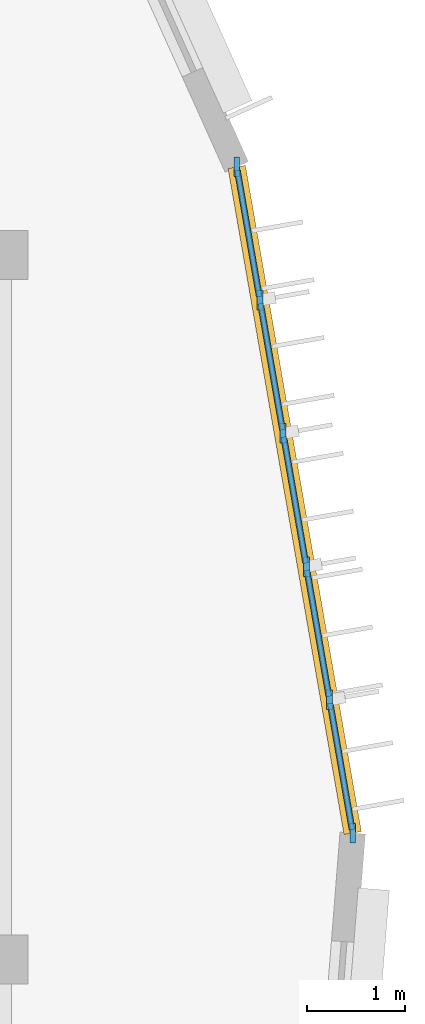
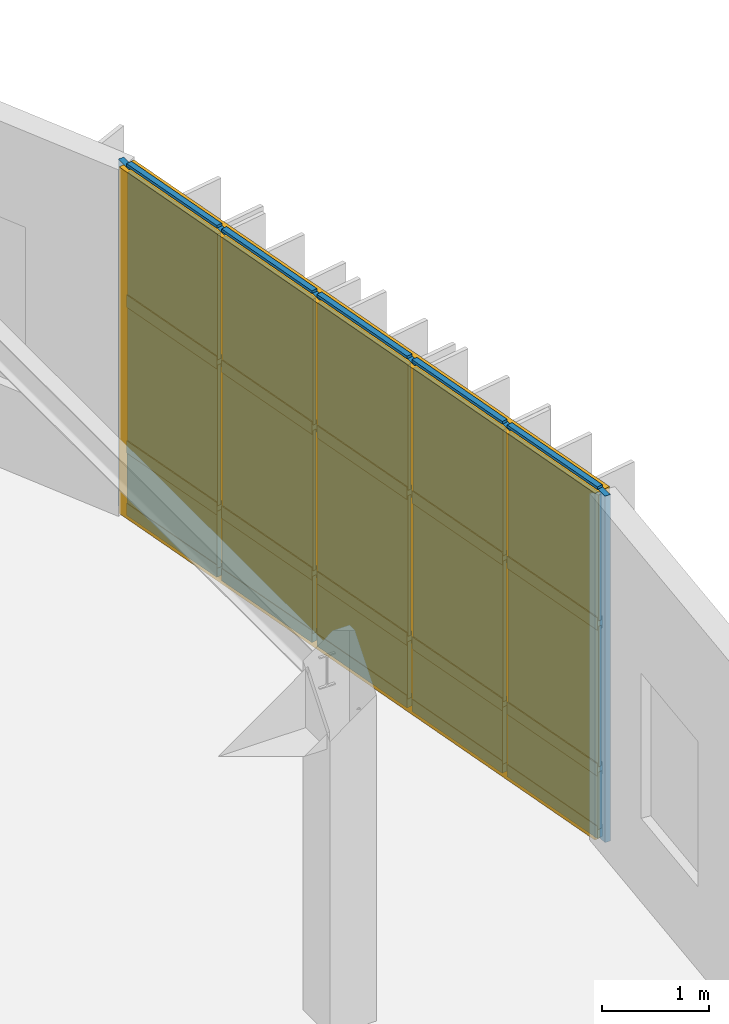
# One storey, part 101 of 122: 26 members, 15 plates, 1 curtain wall.
"""IFC4 building model written with IfcOpenShell, lengths in metres."""

from ifc_helpers import new_model, si_unit, direction, frame, frame_2d, origin, origin_2d, place, context, subcontext, project, spatial, rectangle, extrude, material, layer, layer_set, material_profile, profile_set, type_object, element, aggregate, save


model = new_model("IFC4")

# Units and contexts
model_context = context("Model", 3, precision=1e-05, world=origin(), true_north=direction((0.0, 1.0)))
body_context = subcontext(model_context, "Body", "Model", "MODEL_VIEW")
ifc_project = project(units=[si_unit("LENGTHUNIT", "METRE"), si_unit("AREAUNIT", "SQUARE_METRE"), si_unit("VOLUMEUNIT", "CUBIC_METRE"), si_unit("PLANEANGLEUNIT", "RADIAN"), si_unit("MASSUNIT", "GRAM", prefix="KILO")], contexts=[model_context])

# Member
ifc_material_1 = material(Name="Anodised Bronze Aluminium 6063-T6", Category="aluminium")
ifc_material_profile_1 = material_profile(ifc_material_1, rectangle(XDim=0.06005859375, YDim=0.199951171875, at=origin_2d()), Name="ALU MULLION 60x200")
ifc_profile_set_1 = profile_set([ifc_material_profile_1], Name="Anodised Bronze Aluminium 6063-T6")
member_type_1 = type_object("IfcMemberType", Name="Curtain-Wall Standard Mullion 60x200", PredefinedType="MULLION", material=ifc_profile_set_1)
site_placement = place(None, origin())
building_placement = place(site_placement, origin())
storey_placement = place(building_placement, frame((0.0, 0.0, 4.800048828125)))
member_1_placement = place(storey_placement, frame((162.56982421875, 45.8916015625, 0.0), z_axis=(0.0, 0.0, 1.0), x_axis=(1.0, 0.0, 0.0)))
member_1 = element("IfcMember", 1, at=member_1_placement, type_object=member_type_1, Name="Mullion CWM-03 CW-V4-DRUM-L01-S09-M01", PredefinedType="MULLION", context=body_context, shape_type="SweptSolid", body=[
    extrude(rectangle(XDim=0.06005859375, YDim=0.199951171875, at=origin_2d()), origin(), (0.0, 0.0, 1.0), 3.93994140625),
])

member_2_placement = place(storey_placement, frame((162.332763671875, 47.25341796875, 0.0), z_axis=(0.0, 0.0, 1.0), x_axis=(1.0, 0.0, 0.0)))
member_2 = element("IfcMember", 2, at=member_2_placement, type_object=member_type_1, Name="Mullion CWM-03 CW-V4-DRUM-L01-S09-M02", PredefinedType="MULLION", context=body_context, shape_type="SweptSolid", body=[
    extrude(rectangle(XDim=0.06005859375, YDim=0.199951171875, at=origin_2d()), origin(), (0.0, 0.0, 1.0), 3.93994140625),
])

member_3_placement = place(storey_placement, frame((162.095703125, 48.614990234375, 0.0), z_axis=(0.0, 0.0, 1.0), x_axis=(1.0, 0.0, 0.0)))
member_3 = element("IfcMember", 3, at=member_3_placement, type_object=member_type_1, Name="Mullion CWM-03 CW-V4-DRUM-L01-S09-M03", PredefinedType="MULLION", context=body_context, shape_type="SweptSolid", body=[
    extrude(rectangle(XDim=0.06005859375, YDim=0.199951171875, at=origin_2d()), origin(), (0.0, 0.0, 1.0), 3.93994140625),
])

member_4_placement = place(storey_placement, frame((161.858642578125, 49.9765625, 0.0), z_axis=(0.0, 0.0, 1.0), x_axis=(1.0, 0.0, 0.0)))
member_4 = element("IfcMember", 4, at=member_4_placement, type_object=member_type_1, Name="Mullion CWM-03 CW-V4-DRUM-L01-S09-M04", PredefinedType="MULLION", context=body_context, shape_type="SweptSolid", body=[
    extrude(rectangle(XDim=0.06005859375, YDim=0.199951171875, at=origin_2d()), origin(), (0.0, 0.0, 1.0), 3.93994140625),
])

member_5_placement = place(storey_placement, frame((161.62158203125, 51.338134765625, 0.0), z_axis=(0.0, 0.0, 1.0), x_axis=(1.0, 0.0, 0.0)))
member_5 = element("IfcMember", 5, at=member_5_placement, type_object=member_type_1, Name="Mullion CWM-03 CW-V4-DRUM-L01-S09-M05", PredefinedType="MULLION", context=body_context, shape_type="SweptSolid", body=[
    extrude(rectangle(XDim=0.06005859375, YDim=0.199951171875, at=origin_2d()), origin(), (0.0, 0.0, 1.0), 3.93994140625),
])

member_6_placement = place(storey_placement, frame((161.384765625, 52.69970703125, 0.0), z_axis=(0.0, 0.0, 1.0), x_axis=(1.0, 0.0, 0.0)))
member_6 = element("IfcMember", 6, at=member_6_placement, type_object=member_type_1, Name="Mullion CWM-03 CW-V4-DRUM-L01-S09-M06", PredefinedType="MULLION", context=body_context, shape_type="SweptSolid", body=[
    extrude(rectangle(XDim=0.06005859375, YDim=0.199951171875, at=origin_2d()), origin(), (0.0, 0.0, 1.0), 3.93994140625),
])

ifc_material_profile_2 = material_profile(ifc_material_1, rectangle(XDim=0.06005859375, YDim=0.139892578125, at=origin_2d()), Name="ALU TRANSOM 60x140")
ifc_profile_set_2 = profile_set([ifc_material_profile_2], Name="Anodised Bronze Aluminium 6063-T6")
member_type_2 = type_object("IfcMemberType", Name="Curtain-Wall Transom 60x140", PredefinedType="USERDEFINED", material=ifc_profile_set_2)
member_7_placement = place(storey_placement, frame((162.563720703125, 45.92626953125, 0.0400390625), z_axis=(-0.171396150189, 0.985202192294, 0.0), x_axis=(-0.985202192294, -0.171396150189, 0.0)))
member_7 = element("IfcMember", 7, at=member_7_placement, type_object=member_type_2, Name="Transom CWT-01 CW-V4-DRUM-L01-S09-T01.1", ObjectType="TRANSOM", PredefinedType="USERDEFINED", context=body_context, shape_type="SweptSolid", body=[
    extrude(rectangle(XDim=0.06005859375, YDim=0.139892578125, at=origin_2d()), origin(), (0.0, 0.0, 1.0), 1.31201171875),
])

member_8_placement = place(storey_placement, frame((162.563720703125, 45.92626953125, 0.75), z_axis=(-0.171396150189, 0.985202192294, 0.0), x_axis=(-0.985202192294, -0.171396150189, 0.0)))
member_8 = element("IfcMember", 8, at=member_8_placement, type_object=member_type_2, Name="Transom CWT-01 CW-V4-DRUM-L01-S09-T01.2", ObjectType="TRANSOM", PredefinedType="USERDEFINED", context=body_context, shape_type="SweptSolid", body=[
    extrude(rectangle(XDim=0.06005859375, YDim=0.139892578125, at=origin_2d()), origin(), (0.0, 0.0, 1.0), 1.31201171875),
])

member_9_placement = place(storey_placement, frame((162.563720703125, 45.92626953125, 2.40869140625), z_axis=(-0.171396150189, 0.985202192294, 0.0), x_axis=(-0.985202192294, -0.171396150189, 0.0)))
member_9 = element("IfcMember", 9, at=member_9_placement, type_object=member_type_2, Name="Transom CWT-01 CW-V4-DRUM-L01-S09-T01.3", ObjectType="TRANSOM", PredefinedType="USERDEFINED", context=body_context, shape_type="SweptSolid", body=[
    extrude(rectangle(XDim=0.06005859375, YDim=0.139892578125, at=origin_2d()), origin(), (0.0, 0.0, 1.0), 1.31201171875),
])

member_10_placement = place(storey_placement, frame((162.563720703125, 45.92626953125, 3.89990234375), z_axis=(-0.171396150189, 0.985202192294, 0.0), x_axis=(-0.985202192294, -0.171396150189, 0.0)))
member_10 = element("IfcMember", 10, at=member_10_placement, type_object=member_type_2, Name="Transom CWT-01 CW-V4-DRUM-L01-S09-T01.4", ObjectType="TRANSOM", PredefinedType="USERDEFINED", context=body_context, shape_type="SweptSolid", body=[
    extrude(rectangle(XDim=0.06005859375, YDim=0.139892578125, at=origin_2d()), origin(), (0.0, 0.0, 1.0), 1.31201171875),
])

member_11_placement = place(storey_placement, frame((162.326904296875, 47.287841796875, 0.0400390625), z_axis=(-0.171576772497, 0.985170752276, 0.0), x_axis=(-0.985170752276, -0.171576772497, 0.0)))
member_11 = element("IfcMember", 11, at=member_11_placement, type_object=member_type_2, Name="Transom CWT-01 CW-V4-DRUM-L01-S09-T02.1", ObjectType="TRANSOM", PredefinedType="USERDEFINED", context=body_context, shape_type="SweptSolid", body=[
    extrude(rectangle(XDim=0.06005859375, YDim=0.139892578125, at=origin_2d()), origin(), (0.0, 0.0, 1.0), 1.31201171875),
])

member_12_placement = place(storey_placement, frame((162.326904296875, 47.287841796875, 0.75), z_axis=(-0.171576772497, 0.985170752276, 0.0), x_axis=(-0.985170752276, -0.171576772497, 0.0)))
member_12 = element("IfcMember", 12, at=member_12_placement, type_object=member_type_2, Name="Transom CWT-01 CW-V4-DRUM-L01-S09-T02.2", ObjectType="TRANSOM", PredefinedType="USERDEFINED", context=body_context, shape_type="SweptSolid", body=[
    extrude(rectangle(XDim=0.06005859375, YDim=0.139892578125, at=origin_2d()), origin(), (0.0, 0.0, 1.0), 1.31201171875),
])

member_13_placement = place(storey_placement, frame((162.326904296875, 47.287841796875, 2.40869140625), z_axis=(-0.171576772497, 0.985170752276, 0.0), x_axis=(-0.985170752276, -0.171576772497, 0.0)))
member_13 = element("IfcMember", 13, at=member_13_placement, type_object=member_type_2, Name="Transom CWT-01 CW-V4-DRUM-L01-S09-T02.3", ObjectType="TRANSOM", PredefinedType="USERDEFINED", context=body_context, shape_type="SweptSolid", body=[
    extrude(rectangle(XDim=0.06005859375, YDim=0.139892578125, at=origin_2d()), origin(), (0.0, 0.0, 1.0), 1.31201171875),
])

member_14_placement = place(storey_placement, frame((162.326904296875, 47.287841796875, 3.89990234375), z_axis=(-0.171576772497, 0.985170752276, 0.0), x_axis=(-0.985170752276, -0.171576772497, 0.0)))
member_14 = element("IfcMember", 14, at=member_14_placement, type_object=member_type_2, Name="Transom CWT-01 CW-V4-DRUM-L01-S09-T02.4", ObjectType="TRANSOM", PredefinedType="USERDEFINED", context=body_context, shape_type="SweptSolid", body=[
    extrude(rectangle(XDim=0.06005859375, YDim=0.139892578125, at=origin_2d()), origin(), (0.0, 0.0, 1.0), 1.31201171875),
])

member_15_placement = place(storey_placement, frame((162.08984375, 48.6494140625, 0.0400390625), z_axis=(-0.171576772497, 0.985170752276, 0.0), x_axis=(-0.985170752276, -0.171576772497, 0.0)))
member_15 = element("IfcMember", 15, at=member_15_placement, type_object=member_type_2, Name="Transom CWT-01 CW-V4-DRUM-L01-S09-T03.1", ObjectType="TRANSOM", PredefinedType="USERDEFINED", context=body_context, shape_type="SweptSolid", body=[
    extrude(rectangle(XDim=0.06005859375, YDim=0.139892578125, at=origin_2d()), origin(), (0.0, 0.0, 1.0), 1.31201171875),
])

member_16_placement = place(storey_placement, frame((162.08984375, 48.6494140625, 0.75), z_axis=(-0.171576772497, 0.985170752276, 0.0), x_axis=(-0.985170752276, -0.171576772497, 0.0)))
member_16 = element("IfcMember", 16, at=member_16_placement, type_object=member_type_2, Name="Transom CWT-01 CW-V4-DRUM-L01-S09-T03.2", ObjectType="TRANSOM", PredefinedType="USERDEFINED", context=body_context, shape_type="SweptSolid", body=[
    extrude(rectangle(XDim=0.06005859375, YDim=0.139892578125, at=origin_2d()), origin(), (0.0, 0.0, 1.0), 1.31201171875),
])

member_17_placement = place(storey_placement, frame((162.08984375, 48.6494140625, 2.40869140625), z_axis=(-0.171576772497, 0.985170752276, 0.0), x_axis=(-0.985170752276, -0.171576772497, 0.0)))
member_17 = element("IfcMember", 17, at=member_17_placement, type_object=member_type_2, Name="Transom CWT-01 CW-V4-DRUM-L01-S09-T03.3", ObjectType="TRANSOM", PredefinedType="USERDEFINED", context=body_context, shape_type="SweptSolid", body=[
    extrude(rectangle(XDim=0.06005859375, YDim=0.139892578125, at=origin_2d()), origin(), (0.0, 0.0, 1.0), 1.31201171875),
])

member_18_placement = place(storey_placement, frame((162.08984375, 48.6494140625, 3.89990234375), z_axis=(-0.171576772497, 0.985170752276, 0.0), x_axis=(-0.985170752276, -0.171576772497, 0.0)))
member_18 = element("IfcMember", 18, at=member_18_placement, type_object=member_type_2, Name="Transom CWT-01 CW-V4-DRUM-L01-S09-T03.4", ObjectType="TRANSOM", PredefinedType="USERDEFINED", context=body_context, shape_type="SweptSolid", body=[
    extrude(rectangle(XDim=0.06005859375, YDim=0.139892578125, at=origin_2d()), origin(), (0.0, 0.0, 1.0), 1.31201171875),
])

member_19_placement = place(storey_placement, frame((161.852783203125, 50.010986328125, 0.0400390625), z_axis=(-0.171545322604, 0.985176229054, 0.0), x_axis=(-0.985176229054, -0.171545322604, 0.0)))
member_19 = element("IfcMember", 19, at=member_19_placement, type_object=member_type_2, Name="Transom CWT-01 CW-V4-DRUM-L01-S09-T04.1", ObjectType="TRANSOM", PredefinedType="USERDEFINED", context=body_context, shape_type="SweptSolid", body=[
    extrude(rectangle(XDim=0.06005859375, YDim=0.139892578125, at=origin_2d()), origin(), (0.0, 0.0, 1.0), 1.312255859375),
])

member_20_placement = place(storey_placement, frame((161.852783203125, 50.010986328125, 0.75), z_axis=(-0.171545322604, 0.985176229054, 0.0), x_axis=(-0.985176229054, -0.171545322604, 0.0)))
member_20 = element("IfcMember", 20, at=member_20_placement, type_object=member_type_2, Name="Transom CWT-01 CW-V4-DRUM-L01-S09-T04.2", ObjectType="TRANSOM", PredefinedType="USERDEFINED", context=body_context, shape_type="SweptSolid", body=[
    extrude(rectangle(XDim=0.06005859375, YDim=0.139892578125, at=origin_2d()), origin(), (0.0, 0.0, 1.0), 1.312255859375),
])

member_21_placement = place(storey_placement, frame((161.852783203125, 50.010986328125, 2.40869140625), z_axis=(-0.171545322604, 0.985176229054, 0.0), x_axis=(-0.985176229054, -0.171545322604, 0.0)))
member_21 = element("IfcMember", 21, at=member_21_placement, type_object=member_type_2, Name="Transom CWT-01 CW-V4-DRUM-L01-S09-T04.3", ObjectType="TRANSOM", PredefinedType="USERDEFINED", context=body_context, shape_type="SweptSolid", body=[
    extrude(rectangle(XDim=0.06005859375, YDim=0.139892578125, at=origin_2d()), origin(), (0.0, 0.0, 1.0), 1.312255859375),
])

member_22_placement = place(storey_placement, frame((161.852783203125, 50.010986328125, 3.89990234375), z_axis=(-0.171545322604, 0.985176229054, 0.0), x_axis=(-0.985176229054, -0.171545322604, 0.0)))
member_22 = element("IfcMember", 22, at=member_22_placement, type_object=member_type_2, Name="Transom CWT-01 CW-V4-DRUM-L01-S09-T04.4", ObjectType="TRANSOM", PredefinedType="USERDEFINED", context=body_context, shape_type="SweptSolid", body=[
    extrude(rectangle(XDim=0.06005859375, YDim=0.139892578125, at=origin_2d()), origin(), (0.0, 0.0, 1.0), 1.312255859375),
])

member_23_placement = place(storey_placement, frame((161.61572265625, 51.37255859375, 0.0400390625), z_axis=(-0.171545322604, 0.985176229054, 0.0), x_axis=(-0.985176229054, -0.171545322604, 0.0)))
member_23 = element("IfcMember", 23, at=member_23_placement, type_object=member_type_2, Name="Transom CWT-01 CW-V4-DRUM-L01-S09-T05.1", ObjectType="TRANSOM", PredefinedType="USERDEFINED", context=body_context, shape_type="SweptSolid", body=[
    extrude(rectangle(XDim=0.06005859375, YDim=0.139892578125, at=origin_2d()), origin(), (0.0, 0.0, 1.0), 1.312255859375),
])

member_24_placement = place(storey_placement, frame((161.61572265625, 51.37255859375, 0.75), z_axis=(-0.171545322604, 0.985176229054, 0.0), x_axis=(-0.985176229054, -0.171545322604, 0.0)))
member_24 = element("IfcMember", 24, at=member_24_placement, type_object=member_type_2, Name="Transom CWT-01 CW-V4-DRUM-L01-S09-T05.2", ObjectType="TRANSOM", PredefinedType="USERDEFINED", context=body_context, shape_type="SweptSolid", body=[
    extrude(rectangle(XDim=0.06005859375, YDim=0.139892578125, at=origin_2d()), origin(), (0.0, 0.0, 1.0), 1.312255859375),
])

member_25_placement = place(storey_placement, frame((161.61572265625, 51.37255859375, 2.40869140625), z_axis=(-0.171545322604, 0.985176229054, 0.0), x_axis=(-0.985176229054, -0.171545322604, 0.0)))
member_25 = element("IfcMember", 25, at=member_25_placement, type_object=member_type_2, Name="Transom CWT-01 CW-V4-DRUM-L01-S09-T05.3", ObjectType="TRANSOM", PredefinedType="USERDEFINED", context=body_context, shape_type="SweptSolid", body=[
    extrude(rectangle(XDim=0.06005859375, YDim=0.139892578125, at=origin_2d()), origin(), (0.0, 0.0, 1.0), 1.312255859375),
])

member_26_placement = place(storey_placement, frame((161.61572265625, 51.37255859375, 3.89990234375), z_axis=(-0.171545322604, 0.985176229054, 0.0), x_axis=(-0.985176229054, -0.171545322604, 0.0)))
member_26 = element("IfcMember", 26, at=member_26_placement, type_object=member_type_2, Name="Transom CWT-01 CW-V4-DRUM-L01-S09-T05.4", ObjectType="TRANSOM", PredefinedType="USERDEFINED", context=body_context, shape_type="SweptSolid", body=[
    extrude(rectangle(XDim=0.06005859375, YDim=0.139892578125, at=origin_2d()), origin(), (0.0, 0.0, 1.0), 1.312255859375),
])

# Plate
ifc_material_2 = material(Name="Insulated Bronze Aluminium Spandrel Panel", Category="aluminium")
ifc_layer_1 = layer(ifc_material_2, 0.050048828125, Name="Insulated Bronze Aluminium Spandrel Panel")
ifc_layer_set_1 = layer_set([ifc_layer_1], Name="Insulated Bronze Aluminium Spandrel Panel")
plate_type_1 = type_object("IfcPlateType", Name="Insulated Anodised Aluminium Spandrel Cassette 50", PredefinedType="CURTAIN_PANEL", material=ifc_layer_set_1)
plate_1_placement = place(storey_placement, frame((162.451416015625, 46.572509765625, 0.070068359375), z_axis=(0.0, 0.0, 1.0), x_axis=(-0.171495809953, 0.985184849238, 0.0)))
plate_1 = element("IfcPlate", 27, at=plate_1_placement, type_object=plate_type_1, Name="Curtain Panel CWP-03 CW-V4-DRUM-L01-S09-P01.1", PredefinedType="CURTAIN_PANEL", context=body_context, shape_type="SweptSolid", body=[
    extrude(rectangle(XDim=1.31201171875, YDim=0.050048828125, at=origin_2d()), origin(), (0.0, 0.0, 1.0), 0.64990234375),
])

plate_2_placement = place(storey_placement, frame((162.21435546875, 47.93408203125, 0.070068359375), z_axis=(0.0, 0.0, 1.0), x_axis=(-0.171495809953, 0.985184849238, 0.0)))
plate_2 = element("IfcPlate", 28, at=plate_2_placement, type_object=plate_type_1, Name="Curtain Panel CWP-03 CW-V4-DRUM-L01-S09-P02.1", PredefinedType="CURTAIN_PANEL", context=body_context, shape_type="SweptSolid", body=[
    extrude(rectangle(XDim=1.31201171875, YDim=0.050048828125, at=origin_2d()), origin(), (0.0, 0.0, 1.0), 0.64990234375),
])

plate_3_placement = place(storey_placement, frame((161.977294921875, 49.295654296875, 0.070068359375), z_axis=(0.0, 0.0, 1.0), x_axis=(-0.171495809953, 0.985184849238, 0.0)))
plate_3 = element("IfcPlate", 29, at=plate_3_placement, type_object=plate_type_1, Name="Curtain Panel CWP-03 CW-V4-DRUM-L01-S09-P03.1", PredefinedType="CURTAIN_PANEL", context=body_context, shape_type="SweptSolid", body=[
    extrude(rectangle(XDim=1.31201171875, YDim=0.050048828125, at=origin_2d()), origin(), (0.0, 0.0, 1.0), 0.64990234375),
])

plate_4_placement = place(storey_placement, frame((161.740234375, 50.6572265625, 0.070068359375), z_axis=(0.0, 0.0, 1.0), x_axis=(-0.171495809953, 0.985184849238, 0.0)))
plate_4 = element("IfcPlate", 30, at=plate_4_placement, type_object=plate_type_1, Name="Curtain Panel CWP-03 CW-V4-DRUM-L01-S09-P04.1", PredefinedType="CURTAIN_PANEL", context=body_context, shape_type="SweptSolid", body=[
    extrude(rectangle(XDim=1.31201171875, YDim=0.050048828125, at=origin_2d()), origin(), (0.0, 0.0, 1.0), 0.64990234375),
])

plate_5_placement = place(storey_placement, frame((161.503173828125, 52.018798828125, 0.070068359375), z_axis=(0.0, 0.0, 1.0), x_axis=(-0.171495809953, 0.985184849238, 0.0)))
plate_5 = element("IfcPlate", 31, at=plate_5_placement, type_object=plate_type_1, Name="Curtain Panel CWP-03 CW-V4-DRUM-L01-S09-P05.1", PredefinedType="CURTAIN_PANEL", context=body_context, shape_type="SweptSolid", body=[
    extrude(rectangle(XDim=1.31201171875, YDim=0.050048828125, at=origin_2d()), origin(), (0.0, 0.0, 1.0), 0.64990234375),
])

ifc_material_3 = material(Name="Solar-Control Tempered Double Glazing", Category="glass")
ifc_layer_2 = layer(ifc_material_3, 0.0380859375, Name="Solar-Control Tempered Double Glazing")
ifc_layer_set_2 = layer_set([ifc_layer_2], Name="Solar-Control Tempered Double Glazing")
plate_type_2 = type_object("IfcPlateType", Name="Solar-Control Vision Glazing Unit 38", PredefinedType="CURTAIN_PANEL", material=ifc_layer_set_2)
plate_6_placement = place(storey_placement, frame((162.451416015625, 46.572509765625, 0.77978515625), z_axis=(0.0, 0.0, 1.0), x_axis=(-0.171495809953, 0.985184849238, 0.0)))
plate_6 = element("IfcPlate", 32, at=plate_6_placement, type_object=plate_type_2, Name="Curtain Panel CWP-02 CW-V4-DRUM-L01-S09-P01.2", PredefinedType="CURTAIN_PANEL", context=body_context, shape_type="SweptSolid", body=[
    extrude(rectangle(XDim=1.31201171875, YDim=0.0380859375, at=origin_2d()), origin(), (0.0, 0.0, 1.0), 1.598876953125),
])

plate_7_placement = place(storey_placement, frame((162.451416015625, 46.572509765625, 2.438720703125), z_axis=(0.0, 0.0, 1.0), x_axis=(-0.171495809953, 0.985184849238, 0.0)))
plate_7 = element("IfcPlate", 33, at=plate_7_placement, type_object=plate_type_2, Name="Curtain Panel CWP-02 CW-V4-DRUM-L01-S09-P01.3", PredefinedType="CURTAIN_PANEL", context=body_context, shape_type="SweptSolid", body=[
    extrude(rectangle(XDim=1.31201171875, YDim=0.0380859375, at=origin_2d()), origin(), (0.0, 0.0, 1.0), 1.43115234375),
])

plate_8_placement = place(storey_placement, frame((162.21435546875, 47.93408203125, 0.77978515625), z_axis=(0.0, 0.0, 1.0), x_axis=(-0.171495809953, 0.985184849238, 0.0)))
plate_8 = element("IfcPlate", 34, at=plate_8_placement, type_object=plate_type_2, Name="Curtain Panel CWP-02 CW-V4-DRUM-L01-S09-P02.2", PredefinedType="CURTAIN_PANEL", context=body_context, shape_type="SweptSolid", body=[
    extrude(rectangle(XDim=1.31201171875, YDim=0.0380859375, at=origin_2d()), origin(), (0.0, 0.0, 1.0), 1.598876953125),
])

plate_9_placement = place(storey_placement, frame((162.21435546875, 47.93408203125, 2.438720703125), z_axis=(0.0, 0.0, 1.0), x_axis=(-0.171495809953, 0.985184849238, 0.0)))
plate_9 = element("IfcPlate", 35, at=plate_9_placement, type_object=plate_type_2, Name="Curtain Panel CWP-02 CW-V4-DRUM-L01-S09-P02.3", PredefinedType="CURTAIN_PANEL", context=body_context, shape_type="SweptSolid", body=[
    extrude(rectangle(XDim=1.31201171875, YDim=0.0380859375, at=origin_2d()), origin(), (0.0, 0.0, 1.0), 1.43115234375),
])

plate_10_placement = place(storey_placement, frame((161.977294921875, 49.295654296875, 0.77978515625), z_axis=(0.0, 0.0, 1.0), x_axis=(-0.171495809953, 0.985184849238, 0.0)))
plate_10 = element("IfcPlate", 36, at=plate_10_placement, type_object=plate_type_2, Name="Curtain Panel CWP-02 CW-V4-DRUM-L01-S09-P03.2", PredefinedType="CURTAIN_PANEL", context=body_context, shape_type="SweptSolid", body=[
    extrude(rectangle(XDim=1.31201171875, YDim=0.0380859375, at=origin_2d()), origin(), (0.0, 0.0, 1.0), 1.598876953125),
])

plate_11_placement = place(storey_placement, frame((161.977294921875, 49.295654296875, 2.438720703125), z_axis=(0.0, 0.0, 1.0), x_axis=(-0.171495809953, 0.985184849238, 0.0)))
plate_11 = element("IfcPlate", 37, at=plate_11_placement, type_object=plate_type_2, Name="Curtain Panel CWP-02 CW-V4-DRUM-L01-S09-P03.3", PredefinedType="CURTAIN_PANEL", context=body_context, shape_type="SweptSolid", body=[
    extrude(rectangle(XDim=1.31201171875, YDim=0.0380859375, at=origin_2d()), origin(), (0.0, 0.0, 1.0), 1.43115234375),
])

plate_12_placement = place(storey_placement, frame((161.740234375, 50.6572265625, 0.77978515625), z_axis=(0.0, 0.0, 1.0), x_axis=(-0.171495809953, 0.985184849238, 0.0)))
plate_12 = element("IfcPlate", 38, at=plate_12_placement, type_object=plate_type_2, Name="Curtain Panel CWP-02 CW-V4-DRUM-L01-S09-P04.2", PredefinedType="CURTAIN_PANEL", context=body_context, shape_type="SweptSolid", body=[
    extrude(rectangle(XDim=1.31201171875, YDim=0.0380859375, at=origin_2d()), origin(), (0.0, 0.0, 1.0), 1.598876953125),
])

plate_13_placement = place(storey_placement, frame((161.740234375, 50.6572265625, 2.438720703125), z_axis=(0.0, 0.0, 1.0), x_axis=(-0.171495809953, 0.985184849238, 0.0)))
plate_13 = element("IfcPlate", 39, at=plate_13_placement, type_object=plate_type_2, Name="Curtain Panel CWP-02 CW-V4-DRUM-L01-S09-P04.3", PredefinedType="CURTAIN_PANEL", context=body_context, shape_type="SweptSolid", body=[
    extrude(rectangle(XDim=1.31201171875, YDim=0.0380859375, at=origin_2d()), origin(), (0.0, 0.0, 1.0), 1.43115234375),
])

plate_14_placement = place(storey_placement, frame((161.503173828125, 52.018798828125, 0.77978515625), z_axis=(0.0, 0.0, 1.0), x_axis=(-0.171495809953, 0.985184849238, 0.0)))
plate_14 = element("IfcPlate", 40, at=plate_14_placement, type_object=plate_type_2, Name="Curtain Panel CWP-02 CW-V4-DRUM-L01-S09-P05.2", PredefinedType="CURTAIN_PANEL", context=body_context, shape_type="SweptSolid", body=[
    extrude(rectangle(XDim=1.31201171875, YDim=0.0380859375, at=origin_2d()), origin(), (0.0, 0.0, 1.0), 1.598876953125),
])

plate_15_placement = place(storey_placement, frame((161.503173828125, 52.018798828125, 2.438720703125), z_axis=(0.0, 0.0, 1.0), x_axis=(-0.171495809953, 0.985184849238, 0.0)))
plate_15 = element("IfcPlate", 41, at=plate_15_placement, type_object=plate_type_2, Name="Curtain Panel CWP-02 CW-V4-DRUM-L01-S09-P05.3", PredefinedType="CURTAIN_PANEL", context=body_context, shape_type="SweptSolid", body=[
    extrude(rectangle(XDim=1.31201171875, YDim=0.0380859375, at=origin_2d()), origin(), (0.0, 0.0, 1.0), 1.43115234375),
])

# Site, building, storey
site = spatial("IfcSite", under=ifc_project, at=site_placement, CompositionType="ELEMENT")
building = spatial("IfcBuilding", under=site, at=building_placement, Name="Tazoul Stagehouse", CompositionType="ELEMENT")
storey = spatial("IfcBuildingStorey", under=building, at=storey_placement, Name="L01", CompositionType="ELEMENT", Elevation=4.800048828125)

# Curtain wall
curtain_wall_type = type_object("IfcCurtainWallType", Name="Studio Drum Faceted Curtain Wall", PredefinedType="NOTDEFINED", material=ifc_material_1)
curtain_wall_placement = place(storey_placement, frame((162.56982421875, 45.8916015625, 0.0), z_axis=(0.0, 0.0, 1.0), x_axis=(-0.171487286105, 0.985186332987, 0.0)))
curtain_wall = element("IfcCurtainWall", 42, at=curtain_wall_placement, inside=storey, type_object=curtain_wall_type, Name="L01 Curtain Wall CW-03 (CW-V4-DRUM-L01-S09)", PredefinedType="NOTDEFINED", context=body_context, shape_type="SweptSolid", body=[
    extrude(rectangle(XDim=6.910400390625, YDim=0.179931640625, at=frame_2d((3.455078125, 0.0))), origin(), (0.0, 0.0, 1.0), 3.93994140625),
])

aggregate(curtain_wall, [member_1, member_2, member_3, member_4, member_5, member_6, member_7, member_8, member_9, member_10, plate_1, plate_6, plate_7, member_11, member_12, member_13, member_14, plate_2, plate_8, plate_9, member_15, member_16, member_17, member_18, plate_3, plate_10, plate_11, member_19, member_20, member_21, member_22, plate_4, plate_12, plate_13, member_23, member_24, member_25, member_26, plate_5, plate_14, plate_15])

save(model, "model.ifc")
